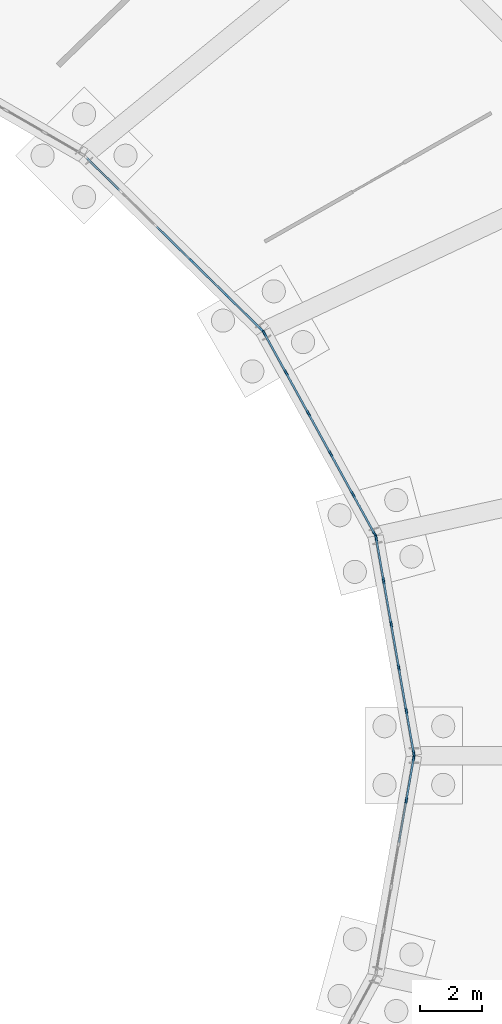
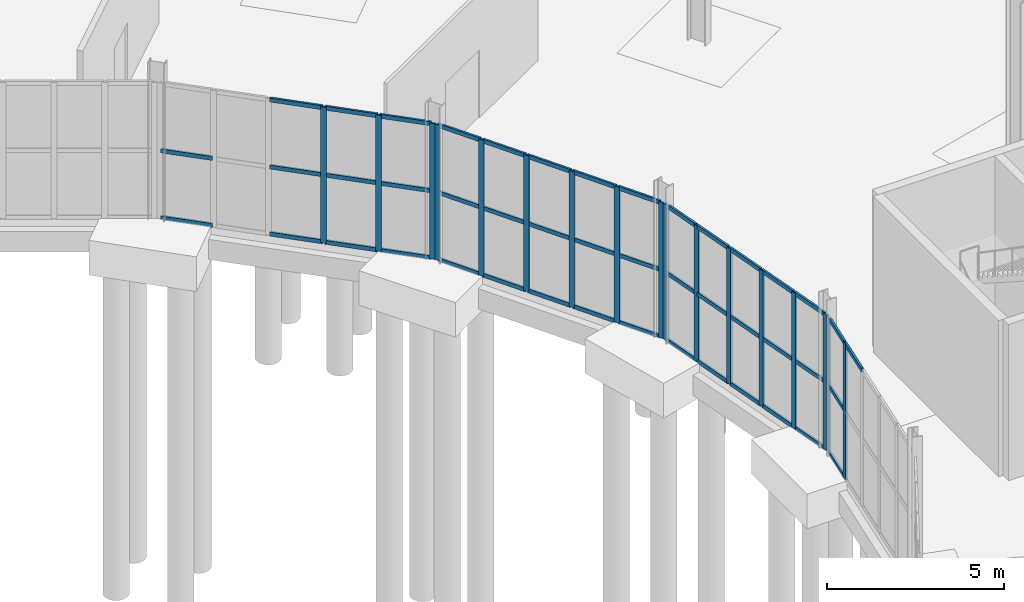
# One storey, part 67 of 118: 62 members, 4 elements without a shape of their own.
"""IFC4 building model written with IfcOpenShell, lengths in metres."""

from ifc_helpers import new_model, si_unit, direction, frame, origin, origin_2d, place, context, subcontext, project, spatial, rectangle, extrude, material, material_profile, profile_set, type_object, element, aggregate, save


model = new_model("IFC4")

# Units and contexts
model_context = context("Model", 3, precision=1e-05, world=origin(), true_north=direction((0.0, 1.0)))
body_context = subcontext(model_context, "Body", "Model", "MODEL_VIEW")
ifc_project = project(units=[si_unit("LENGTHUNIT", "METRE"), si_unit("AREAUNIT", "SQUARE_METRE"), si_unit("VOLUMEUNIT", "CUBIC_METRE"), si_unit("PLANEANGLEUNIT", "RADIAN"), si_unit("MASSUNIT", "GRAM", prefix="KILO")], contexts=[model_context])

# Site, building, storey
site_placement = place(None, origin())
site = spatial("IfcSite", under=ifc_project, at=site_placement, CompositionType="ELEMENT")
building_placement = place(site_placement, origin())
building = spatial("IfcBuilding", under=site, at=building_placement, Name="Kildeholm Park Wholesale Market", CompositionType="ELEMENT")
storey_placement = place(building_placement, origin())
storey = spatial("IfcBuildingStorey", under=building, at=storey_placement, Name="L00", CompositionType="ELEMENT", Elevation=0.0)

# Curtain wall, members
ifc_material_1 = material(Name="Anodised aluminium and low-E double-glazed glass", Category="aluminium")
curtain_wall_type = type_object("IfcCurtainWallType", Name="Market hall glazed arcade stick curtain wall CW-01", PredefinedType="NOTDEFINED", material=ifc_material_1)
curtain_wall_1_placement = place(storey_placement, origin())
curtain_wall_1 = element("IfcCurtainWall", 1, at=curtain_wall_1_placement, inside=storey, type_object=curtain_wall_type, Name="Curtain wall CW-V1-IN0-00 CW-0003", PredefinedType="NOTDEFINED")
ifc_material_2 = material(Name="Anodised aluminium", Category="aluminium")
ifc_material_profile_1 = material_profile(ifc_material_2, rectangle(XDim=0.06494140625, YDim=0.179931640625, at=origin_2d()), Name="CWM 65x180")
ifc_profile_set_1 = profile_set([ifc_material_profile_1], Name="Anodised aluminium")
member_type_1 = type_object("IfcMemberType", Name="Curtain-wall mullion CWM-1 CWM 65x180", PredefinedType="MULLION", material=ifc_profile_set_1)
member_1_placement = place(storey_placement, frame((135.494384765625, 89.572021484375, 0.0), z_axis=(0.0, 0.0, 1.0), x_axis=(-0.985073802851, -0.172132515628, 0.0)))
member_1 = element("IfcMember", 2, at=member_1_placement, type_object=member_type_1, Name="CW-01 mullion 1 MEM-0456", PredefinedType="MULLION", context=body_context, shape_type="SweptSolid", body=[
    extrude(rectangle(XDim=0.06494140625, YDim=0.179931640625, at=origin_2d()), origin(), (0.0, 0.0, 1.0), 4.699951171875),
])
member_2_placement = place(storey_placement, frame((135.25390625, 90.94775390625, 0.0), z_axis=(0.0, 0.0, 1.0), x_axis=(-0.985073802851, -0.172132515628, 0.0)))
member_2 = element("IfcMember", 3, at=member_2_placement, type_object=member_type_1, Name="CW-01 mullion 2 MEM-0457", PredefinedType="MULLION", context=body_context, shape_type="SweptSolid", body=[
    extrude(rectangle(XDim=0.06494140625, YDim=0.179931640625, at=origin_2d()), origin(), (0.0, 0.0, 1.0), 4.699951171875),
])
member_3_placement = place(storey_placement, frame((135.008056640625, 92.355712890625, 0.0), z_axis=(0.0, 0.0, 1.0), x_axis=(-0.985073802851, -0.172132515628, 0.0)))
member_3 = element("IfcMember", 4, at=member_3_placement, type_object=member_type_1, Name="CW-01 mullion 3 MEM-0458", PredefinedType="MULLION", context=body_context, shape_type="SweptSolid", body=[
    extrude(rectangle(XDim=0.06494140625, YDim=0.179931640625, at=origin_2d()), origin(), (0.0, 0.0, 1.0), 4.699951171875),
])
member_4_placement = place(storey_placement, frame((134.761962890625, 93.763427734375, 0.0), z_axis=(0.0, 0.0, 1.0), x_axis=(-0.985073802851, -0.172132515628, 0.0)))
member_4 = element("IfcMember", 5, at=member_4_placement, type_object=member_type_1, Name="CW-01 mullion 4 MEM-0459", PredefinedType="MULLION", context=body_context, shape_type="SweptSolid", body=[
    extrude(rectangle(XDim=0.06494140625, YDim=0.179931640625, at=origin_2d()), origin(), (0.0, 0.0, 1.0), 4.699951171875),
])
member_5_placement = place(storey_placement, frame((134.51611328125, 95.171142578125, 0.0), z_axis=(0.0, 0.0, 1.0), x_axis=(-0.985073802851, -0.172132515628, 0.0)))
member_5 = element("IfcMember", 6, at=member_5_placement, type_object=member_type_1, Name="CW-01 mullion 5 MEM-0460", PredefinedType="MULLION", context=body_context, shape_type="SweptSolid", body=[
    extrude(rectangle(XDim=0.06494140625, YDim=0.179931640625, at=origin_2d()), origin(), (0.0, 0.0, 1.0), 4.699951171875),
])
member_6_placement = place(storey_placement, frame((134.275634765625, 96.546875, 0.0), z_axis=(0.0, 0.0, 1.0), x_axis=(-0.985073802851, -0.172132515628, 0.0)))
member_6 = element("IfcMember", 7, at=member_6_placement, type_object=member_type_1, Name="CW-01 mullion 6 MEM-0461", PredefinedType="MULLION", context=body_context, shape_type="SweptSolid", body=[
    extrude(rectangle(XDim=0.06494140625, YDim=0.179931640625, at=origin_2d()), origin(), (0.0, 0.0, 1.0), 4.699951171875),
])

curtain_wall_2_placement = place(storey_placement, origin())
curtain_wall_2 = element("IfcCurtainWall", 8, at=curtain_wall_2_placement, inside=storey, type_object=curtain_wall_type, Name="Curtain wall CW-V1-IN0-01 CW-0008", PredefinedType="NOTDEFINED")
member_7_placement = place(storey_placement, frame((134.227294921875, 96.682373046875, 0.0), z_axis=(0.0, 0.0, 1.0), x_axis=(-0.876308922506, -0.481749595055, 0.0)))
member_7 = element("IfcMember", 9, at=member_7_placement, type_object=member_type_1, Name="CW-01 mullion 1 MEM-0581", PredefinedType="MULLION", context=body_context, shape_type="SweptSolid", body=[
    extrude(rectangle(XDim=0.06494140625, YDim=0.179931640625, at=origin_2d()), origin(), (0.0, 0.0, 1.0), 4.699951171875),
])
member_8_placement = place(storey_placement, frame((133.521484375, 97.966552734375, 0.0), z_axis=(0.0, 0.0, 1.0), x_axis=(-0.876308922506, -0.481749595055, 0.0)))
member_8 = element("IfcMember", 10, at=member_8_placement, type_object=member_type_1, Name="CW-01 mullion 2 MEM-0582", PredefinedType="MULLION", context=body_context, shape_type="SweptSolid", body=[
    extrude(rectangle(XDim=0.06494140625, YDim=0.179931640625, at=origin_2d()), origin(), (0.0, 0.0, 1.0), 4.699951171875),
])
member_9_placement = place(storey_placement, frame((132.7998046875, 99.279296875, 0.0), z_axis=(0.0, 0.0, 1.0), x_axis=(-0.876308922506, -0.481749595055, 0.0)))
member_9 = element("IfcMember", 11, at=member_9_placement, type_object=member_type_1, Name="CW-01 mullion 3 MEM-0583", PredefinedType="MULLION", context=body_context, shape_type="SweptSolid", body=[
    extrude(rectangle(XDim=0.06494140625, YDim=0.179931640625, at=origin_2d()), origin(), (0.0, 0.0, 1.0), 4.699951171875),
])
member_10_placement = place(storey_placement, frame((132.078125, 100.591796875, 0.0), z_axis=(0.0, 0.0, 1.0), x_axis=(-0.876308922506, -0.481749595055, 0.0)))
member_10 = element("IfcMember", 12, at=member_10_placement, type_object=member_type_1, Name="CW-01 mullion 4 MEM-0584", PredefinedType="MULLION", context=body_context, shape_type="SweptSolid", body=[
    extrude(rectangle(XDim=0.06494140625, YDim=0.179931640625, at=origin_2d()), origin(), (0.0, 0.0, 1.0), 4.699951171875),
])
member_11_placement = place(storey_placement, frame((131.356689453125, 101.904296875, 0.0), z_axis=(0.0, 0.0, 1.0), x_axis=(-0.876308922506, -0.481749595055, 0.0)))
member_11 = element("IfcMember", 13, at=member_11_placement, type_object=member_type_1, Name="CW-01 mullion 5 MEM-0585", PredefinedType="MULLION", context=body_context, shape_type="SweptSolid", body=[
    extrude(rectangle(XDim=0.06494140625, YDim=0.179931640625, at=origin_2d()), origin(), (0.0, 0.0, 1.0), 4.699951171875),
])
member_12_placement = place(storey_placement, frame((130.650634765625, 103.1884765625, 0.0), z_axis=(0.0, 0.0, 1.0), x_axis=(-0.876308922506, -0.481749595055, 0.0)))
member_12 = element("IfcMember", 14, at=member_12_placement, type_object=member_type_1, Name="CW-01 mullion 6 MEM-0586", PredefinedType="MULLION", context=body_context, shape_type="SweptSolid", body=[
    extrude(rectangle(XDim=0.06494140625, YDim=0.179931640625, at=origin_2d()), origin(), (0.0, 0.0, 1.0), 4.699951171875),
])

curtain_wall_3_placement = place(storey_placement, origin())
curtain_wall_3 = element("IfcCurtainWall", 15, at=curtain_wall_3_placement, inside=storey, type_object=curtain_wall_type, Name="Curtain wall CW-V1-IN0-02 CW-0013", PredefinedType="NOTDEFINED")
member_13_placement = place(storey_placement, frame((130.562744140625, 103.3037109375, 0.0), z_axis=(0.0, 0.0, 1.0), x_axis=(-0.700616534607, -0.713537995789, 0.0)))
member_13 = element("IfcMember", 16, at=member_13_placement, type_object=member_type_1, Name="CW-01 mullion 1 MEM-0710", PredefinedType="MULLION", context=body_context, shape_type="SweptSolid", body=[
    extrude(rectangle(XDim=0.06494140625, YDim=0.179931640625, at=origin_2d()), origin(), (0.0, 0.0, 1.0), 4.699951171875),
])
member_14_placement = place(storey_placement, frame((129.4375, 104.40869140625, 0.0), z_axis=(0.0, 0.0, 1.0), x_axis=(-0.700616534607, -0.713537995789, 0.0)))
member_14 = element("IfcMember", 17, at=member_14_placement, type_object=member_type_1, Name="CW-01 mullion 2 MEM-0711", PredefinedType="MULLION", context=body_context, shape_type="SweptSolid", body=[
    extrude(rectangle(XDim=0.06494140625, YDim=0.179931640625, at=origin_2d()), origin(), (0.0, 0.0, 1.0), 4.699951171875),
])
member_15_placement = place(storey_placement, frame((128.288818359375, 105.53662109375, 0.0), z_axis=(0.0, 0.0, 1.0), x_axis=(-0.700616534607, -0.713537995789, 0.0)))
member_15 = element("IfcMember", 18, at=member_15_placement, type_object=member_type_1, Name="CW-01 mullion 3 MEM-0712", PredefinedType="MULLION", context=body_context, shape_type="SweptSolid", body=[
    extrude(rectangle(XDim=0.06494140625, YDim=0.179931640625, at=origin_2d()), origin(), (0.0, 0.0, 1.0), 4.699951171875),
])

curtain_wall_4_placement = place(storey_placement, origin())
curtain_wall_4 = element("IfcCurtainWall", 19, at=curtain_wall_4_placement, inside=storey, type_object=curtain_wall_type, Name="Curtain wall CW-V1-IN0-23 CW-0116", PredefinedType="NOTDEFINED")
member_16_placement = place(storey_placement, frame((135.25390625, 88.05224609375, 0.0), z_axis=(0.0, 0.0, 1.0), x_axis=(-0.985073802851, 0.172132515628, 0.0)))
member_16 = element("IfcMember", 20, at=member_16_placement, type_object=member_type_1, Name="CW-01 mullion 5 MEM-3589", PredefinedType="MULLION", context=body_context, shape_type="SweptSolid", body=[
    extrude(rectangle(XDim=0.06494140625, YDim=0.179931640625, at=origin_2d()), origin(), (0.0, 0.0, 1.0), 4.699951171875),
])
member_17_placement = place(storey_placement, frame((135.494384765625, 89.427978515625, 0.0), z_axis=(0.0, 0.0, 1.0), x_axis=(-0.985073802851, 0.172132515628, 0.0)))
member_17 = element("IfcMember", 21, at=member_17_placement, type_object=member_type_1, Name="CW-01 mullion 6 MEM-3590", PredefinedType="MULLION", context=body_context, shape_type="SweptSolid", body=[
    extrude(rectangle(XDim=0.06494140625, YDim=0.179931640625, at=origin_2d()), origin(), (0.0, 0.0, 1.0), 4.699951171875),
])

# Member
ifc_material_profile_2 = material_profile(ifc_material_2, rectangle(XDim=0.06494140625, YDim=0.139892578125, at=origin_2d()), Name="CWT 65x140")
ifc_profile_set_2 = profile_set([ifc_material_profile_2], Name="Anodised aluminium")
member_type_2 = type_object("IfcMemberType", Name="Curtain-wall transom CWT-1 CWT 65x140", PredefinedType="USERDEFINED", material=ifc_profile_set_2)
member_18_placement = place(storey_placement, frame((135.48876953125, 89.60400390625, 0.032470703125), z_axis=(-0.172153518423, 0.985070132577, 0.0), x_axis=(-0.985070132577, -0.172153518423, 0.0)))
member_18 = element("IfcMember", 22, at=member_18_placement, type_object=member_type_2, Name="CW-01 transom 1.1 MEM-0462", ObjectType="TRANSOM", PredefinedType="USERDEFINED", context=body_context, shape_type="SweptSolid", body=[
    extrude(rectangle(XDim=0.06494140625, YDim=0.139892578125, at=origin_2d()), origin(), (0.0, 0.0, 1.0), 1.33154296875),
])

member_19_placement = place(storey_placement, frame((135.48876953125, 89.60400390625, 2.35009765625), z_axis=(-0.172153518423, 0.985070132577, 0.0), x_axis=(-0.985070132577, -0.172153518423, 0.0)))
member_19 = element("IfcMember", 23, at=member_19_placement, type_object=member_type_2, Name="CW-01 transom 1.2 MEM-0463", ObjectType="TRANSOM", PredefinedType="USERDEFINED", context=body_context, shape_type="SweptSolid", body=[
    extrude(rectangle(XDim=0.06494140625, YDim=0.139892578125, at=origin_2d()), origin(), (0.0, 0.0, 1.0), 1.33154296875),
])

member_20_placement = place(storey_placement, frame((135.48876953125, 89.60400390625, 4.66748046875), z_axis=(-0.172153518423, 0.985070132577, 0.0), x_axis=(-0.985070132577, -0.172153518423, 0.0)))
member_20 = element("IfcMember", 24, at=member_20_placement, type_object=member_type_2, Name="CW-01 transom 1.3 MEM-0464", ObjectType="TRANSOM", PredefinedType="USERDEFINED", context=body_context, shape_type="SweptSolid", body=[
    extrude(rectangle(XDim=0.06494140625, YDim=0.139892578125, at=origin_2d()), origin(), (0.0, 0.0, 1.0), 1.33154296875),
])

member_21_placement = place(storey_placement, frame((135.248291015625, 90.979736328125, 0.032470703125), z_axis=(-0.171998266599, 0.985097252197, 0.0), x_axis=(-0.985097252197, -0.171998266599, 0.0)))
member_21 = element("IfcMember", 25, at=member_21_placement, type_object=member_type_2, Name="CW-01 transom 2.1 MEM-0465", ObjectType="TRANSOM", PredefinedType="USERDEFINED", context=body_context, shape_type="SweptSolid", body=[
    extrude(rectangle(XDim=0.06494140625, YDim=0.139892578125, at=origin_2d()), origin(), (0.0, 0.0, 1.0), 1.364013671875),
])

member_22_placement = place(storey_placement, frame((135.248291015625, 90.979736328125, 2.35009765625), z_axis=(-0.171998266599, 0.985097252197, 0.0), x_axis=(-0.985097252197, -0.171998266599, 0.0)))
member_22 = element("IfcMember", 26, at=member_22_placement, type_object=member_type_2, Name="CW-01 transom 2.2 MEM-0466", ObjectType="TRANSOM", PredefinedType="USERDEFINED", context=body_context, shape_type="SweptSolid", body=[
    extrude(rectangle(XDim=0.06494140625, YDim=0.139892578125, at=origin_2d()), origin(), (0.0, 0.0, 1.0), 1.364013671875),
])

member_23_placement = place(storey_placement, frame((135.248291015625, 90.979736328125, 4.66748046875), z_axis=(-0.171998266599, 0.985097252197, 0.0), x_axis=(-0.985097252197, -0.171998266599, 0.0)))
member_23 = element("IfcMember", 27, at=member_23_placement, type_object=member_type_2, Name="CW-01 transom 2.3 MEM-0467", ObjectType="TRANSOM", PredefinedType="USERDEFINED", context=body_context, shape_type="SweptSolid", body=[
    extrude(rectangle(XDim=0.06494140625, YDim=0.139892578125, at=origin_2d()), origin(), (0.0, 0.0, 1.0), 1.364013671875),
])

member_24_placement = place(storey_placement, frame((135.00244140625, 92.3876953125, 0.032470703125), z_axis=(-0.172171942211, 0.985066912608, 0.0), x_axis=(-0.985066912608, -0.172171942211, 0.0)))
member_24 = element("IfcMember", 28, at=member_24_placement, type_object=member_type_2, Name="CW-01 transom 3.1 MEM-0468", ObjectType="TRANSOM", PredefinedType="USERDEFINED", context=body_context, shape_type="SweptSolid", body=[
    extrude(rectangle(XDim=0.06494140625, YDim=0.139892578125, at=origin_2d()), origin(), (0.0, 0.0, 1.0), 1.364013671875),
])

member_25_placement = place(storey_placement, frame((135.00244140625, 92.3876953125, 2.35009765625), z_axis=(-0.172171942211, 0.985066912608, 0.0), x_axis=(-0.985066912608, -0.172171942211, 0.0)))
member_25 = element("IfcMember", 29, at=member_25_placement, type_object=member_type_2, Name="CW-01 transom 3.2 MEM-0469", ObjectType="TRANSOM", PredefinedType="USERDEFINED", context=body_context, shape_type="SweptSolid", body=[
    extrude(rectangle(XDim=0.06494140625, YDim=0.139892578125, at=origin_2d()), origin(), (0.0, 0.0, 1.0), 1.364013671875),
])

member_26_placement = place(storey_placement, frame((135.00244140625, 92.3876953125, 4.66748046875), z_axis=(-0.172171942211, 0.985066912608, 0.0), x_axis=(-0.985066912608, -0.172171942211, 0.0)))
member_26 = element("IfcMember", 30, at=member_26_placement, type_object=member_type_2, Name="CW-01 transom 3.3 MEM-0470", ObjectType="TRANSOM", PredefinedType="USERDEFINED", context=body_context, shape_type="SweptSolid", body=[
    extrude(rectangle(XDim=0.06494140625, YDim=0.139892578125, at=origin_2d()), origin(), (0.0, 0.0, 1.0), 1.364013671875),
])

member_27_placement = place(storey_placement, frame((134.75634765625, 93.79541015625, 0.032470703125), z_axis=(-0.172171942211, 0.985066912608, 0.0), x_axis=(-0.985066912608, -0.172171942211, 0.0)))
member_27 = element("IfcMember", 31, at=member_27_placement, type_object=member_type_2, Name="CW-01 transom 4.1 MEM-0471", ObjectType="TRANSOM", PredefinedType="USERDEFINED", context=body_context, shape_type="SweptSolid", body=[
    extrude(rectangle(XDim=0.06494140625, YDim=0.139892578125, at=origin_2d()), origin(), (0.0, 0.0, 1.0), 1.364013671875),
])

member_28_placement = place(storey_placement, frame((134.75634765625, 93.79541015625, 2.35009765625), z_axis=(-0.172171942211, 0.985066912608, 0.0), x_axis=(-0.985066912608, -0.172171942211, 0.0)))
member_28 = element("IfcMember", 32, at=member_28_placement, type_object=member_type_2, Name="CW-01 transom 4.2 MEM-0472", ObjectType="TRANSOM", PredefinedType="USERDEFINED", context=body_context, shape_type="SweptSolid", body=[
    extrude(rectangle(XDim=0.06494140625, YDim=0.139892578125, at=origin_2d()), origin(), (0.0, 0.0, 1.0), 1.364013671875),
])

member_29_placement = place(storey_placement, frame((134.75634765625, 93.79541015625, 4.66748046875), z_axis=(-0.172171942211, 0.985066912608, 0.0), x_axis=(-0.985066912608, -0.172171942211, 0.0)))
member_29 = element("IfcMember", 33, at=member_29_placement, type_object=member_type_2, Name="CW-01 transom 4.3 MEM-0473", ObjectType="TRANSOM", PredefinedType="USERDEFINED", context=body_context, shape_type="SweptSolid", body=[
    extrude(rectangle(XDim=0.06494140625, YDim=0.139892578125, at=origin_2d()), origin(), (0.0, 0.0, 1.0), 1.364013671875),
])

member_30_placement = place(storey_placement, frame((134.510498046875, 95.203125, 0.032470703125), z_axis=(-0.172153518423, 0.985070132577, 0.0), x_axis=(-0.985070132577, -0.172153518423, 0.0)))
member_30 = element("IfcMember", 34, at=member_30_placement, type_object=member_type_2, Name="CW-01 transom 5.1 MEM-0474", ObjectType="TRANSOM", PredefinedType="USERDEFINED", context=body_context, shape_type="SweptSolid", body=[
    extrude(rectangle(XDim=0.06494140625, YDim=0.139892578125, at=origin_2d()), origin(), (0.0, 0.0, 1.0), 1.33154296875),
])

member_31_placement = place(storey_placement, frame((134.510498046875, 95.203125, 2.35009765625), z_axis=(-0.172153518423, 0.985070132577, 0.0), x_axis=(-0.985070132577, -0.172153518423, 0.0)))
member_31 = element("IfcMember", 35, at=member_31_placement, type_object=member_type_2, Name="CW-01 transom 5.2 MEM-0475", ObjectType="TRANSOM", PredefinedType="USERDEFINED", context=body_context, shape_type="SweptSolid", body=[
    extrude(rectangle(XDim=0.06494140625, YDim=0.139892578125, at=origin_2d()), origin(), (0.0, 0.0, 1.0), 1.33154296875),
])

member_32_placement = place(storey_placement, frame((134.510498046875, 95.203125, 4.66748046875), z_axis=(-0.172153518423, 0.985070132577, 0.0), x_axis=(-0.985070132577, -0.172153518423, 0.0)))
member_32 = element("IfcMember", 36, at=member_32_placement, type_object=member_type_2, Name="CW-01 transom 5.3 MEM-0476", ObjectType="TRANSOM", PredefinedType="USERDEFINED", context=body_context, shape_type="SweptSolid", body=[
    extrude(rectangle(XDim=0.06494140625, YDim=0.139892578125, at=origin_2d()), origin(), (0.0, 0.0, 1.0), 1.33154296875),
])

aggregate(curtain_wall_1, [member_1, member_2, member_3, member_4, member_5, member_6, member_18, member_19, member_20, member_21, member_22, member_23, member_24, member_25, member_26, member_27, member_28, member_29, member_30, member_31, member_32])

member_33_placement = place(storey_placement, frame((134.211669921875, 96.7109375, 0.032470703125), z_axis=(-0.481671123072, 0.876352057793, 0.0), x_axis=(-0.876352057793, -0.481671123072, 0.0)))
member_33 = element("IfcMember", 37, at=member_33_placement, type_object=member_type_2, Name="CW-01 transom 1.1 MEM-0587", ObjectType="TRANSOM", PredefinedType="USERDEFINED", context=body_context, shape_type="SweptSolid", body=[
    extrude(rectangle(XDim=0.06494140625, YDim=0.139892578125, at=origin_2d()), origin(), (0.0, 0.0, 1.0), 1.400390625),
])

member_34_placement = place(storey_placement, frame((134.211669921875, 96.7109375, 2.35009765625), z_axis=(-0.481671123072, 0.876352057793, 0.0), x_axis=(-0.876352057793, -0.481671123072, 0.0)))
member_34 = element("IfcMember", 38, at=member_34_placement, type_object=member_type_2, Name="CW-01 transom 1.2 MEM-0588", ObjectType="TRANSOM", PredefinedType="USERDEFINED", context=body_context, shape_type="SweptSolid", body=[
    extrude(rectangle(XDim=0.06494140625, YDim=0.139892578125, at=origin_2d()), origin(), (0.0, 0.0, 1.0), 1.400390625),
])

member_35_placement = place(storey_placement, frame((134.211669921875, 96.7109375, 4.66748046875), z_axis=(-0.481671123072, 0.876352057793, 0.0), x_axis=(-0.876352057793, -0.481671123072, 0.0)))
member_35 = element("IfcMember", 39, at=member_35_placement, type_object=member_type_2, Name="CW-01 transom 1.3 MEM-0589", ObjectType="TRANSOM", PredefinedType="USERDEFINED", context=body_context, shape_type="SweptSolid", body=[
    extrude(rectangle(XDim=0.06494140625, YDim=0.139892578125, at=origin_2d()), origin(), (0.0, 0.0, 1.0), 1.400390625),
])

member_36_placement = place(storey_placement, frame((133.505859375, 97.9951171875, 0.032470703125), z_axis=(-0.481833721178, 0.87626266903, 0.0), x_axis=(-0.87626266903, -0.481833721178, 0.0)))
member_36 = element("IfcMember", 40, at=member_36_placement, type_object=member_type_2, Name="CW-01 transom 2.1 MEM-0590", ObjectType="TRANSOM", PredefinedType="USERDEFINED", context=body_context, shape_type="SweptSolid", body=[
    extrude(rectangle(XDim=0.06494140625, YDim=0.139892578125, at=origin_2d()), origin(), (0.0, 0.0, 1.0), 1.432861328125),
])

member_37_placement = place(storey_placement, frame((133.505859375, 97.9951171875, 2.35009765625), z_axis=(-0.481833721178, 0.87626266903, 0.0), x_axis=(-0.87626266903, -0.481833721178, 0.0)))
member_37 = element("IfcMember", 41, at=member_37_placement, type_object=member_type_2, Name="CW-01 transom 2.2 MEM-0591", ObjectType="TRANSOM", PredefinedType="USERDEFINED", context=body_context, shape_type="SweptSolid", body=[
    extrude(rectangle(XDim=0.06494140625, YDim=0.139892578125, at=origin_2d()), origin(), (0.0, 0.0, 1.0), 1.432861328125),
])

member_38_placement = place(storey_placement, frame((133.505859375, 97.9951171875, 4.66748046875), z_axis=(-0.481833721178, 0.87626266903, 0.0), x_axis=(-0.87626266903, -0.481833721178, 0.0)))
member_38 = element("IfcMember", 42, at=member_38_placement, type_object=member_type_2, Name="CW-01 transom 2.3 MEM-0592", ObjectType="TRANSOM", PredefinedType="USERDEFINED", context=body_context, shape_type="SweptSolid", body=[
    extrude(rectangle(XDim=0.06494140625, YDim=0.139892578125, at=origin_2d()), origin(), (0.0, 0.0, 1.0), 1.432861328125),
])

member_39_placement = place(storey_placement, frame((132.7841796875, 99.3076171875, 0.032470703125), z_axis=(-0.481833721178, 0.87626266903, 0.0), x_axis=(-0.87626266903, -0.481833721178, 0.0)))
member_39 = element("IfcMember", 43, at=member_39_placement, type_object=member_type_2, Name="CW-01 transom 3.1 MEM-0593", ObjectType="TRANSOM", PredefinedType="USERDEFINED", context=body_context, shape_type="SweptSolid", body=[
    extrude(rectangle(XDim=0.06494140625, YDim=0.139892578125, at=origin_2d()), origin(), (0.0, 0.0, 1.0), 1.432861328125),
])

member_40_placement = place(storey_placement, frame((132.7841796875, 99.3076171875, 2.35009765625), z_axis=(-0.481833721178, 0.87626266903, 0.0), x_axis=(-0.87626266903, -0.481833721178, 0.0)))
member_40 = element("IfcMember", 44, at=member_40_placement, type_object=member_type_2, Name="CW-01 transom 3.2 MEM-0594", ObjectType="TRANSOM", PredefinedType="USERDEFINED", context=body_context, shape_type="SweptSolid", body=[
    extrude(rectangle(XDim=0.06494140625, YDim=0.139892578125, at=origin_2d()), origin(), (0.0, 0.0, 1.0), 1.432861328125),
])

member_41_placement = place(storey_placement, frame((132.7841796875, 99.3076171875, 4.66748046875), z_axis=(-0.481833721178, 0.87626266903, 0.0), x_axis=(-0.87626266903, -0.481833721178, 0.0)))
member_41 = element("IfcMember", 45, at=member_41_placement, type_object=member_type_2, Name="CW-01 transom 3.3 MEM-0595", ObjectType="TRANSOM", PredefinedType="USERDEFINED", context=body_context, shape_type="SweptSolid", body=[
    extrude(rectangle(XDim=0.06494140625, YDim=0.139892578125, at=origin_2d()), origin(), (0.0, 0.0, 1.0), 1.432861328125),
])

member_42_placement = place(storey_placement, frame((132.0625, 100.620361328125, 0.032470703125), z_axis=(-0.481702881374, 0.876334601665, 0.0), x_axis=(-0.876334601665, -0.481702881374, 0.0)))
member_42 = element("IfcMember", 46, at=member_42_placement, type_object=member_type_2, Name="CW-01 transom 4.1 MEM-0596", ObjectType="TRANSOM", PredefinedType="USERDEFINED", context=body_context, shape_type="SweptSolid", body=[
    extrude(rectangle(XDim=0.06494140625, YDim=0.139892578125, at=origin_2d()), origin(), (0.0, 0.0, 1.0), 1.432861328125),
])

member_43_placement = place(storey_placement, frame((132.0625, 100.620361328125, 2.35009765625), z_axis=(-0.481702881374, 0.876334601665, 0.0), x_axis=(-0.876334601665, -0.481702881374, 0.0)))
member_43 = element("IfcMember", 47, at=member_43_placement, type_object=member_type_2, Name="CW-01 transom 4.2 MEM-0597", ObjectType="TRANSOM", PredefinedType="USERDEFINED", context=body_context, shape_type="SweptSolid", body=[
    extrude(rectangle(XDim=0.06494140625, YDim=0.139892578125, at=origin_2d()), origin(), (0.0, 0.0, 1.0), 1.432861328125),
])

member_44_placement = place(storey_placement, frame((132.0625, 100.620361328125, 4.66748046875), z_axis=(-0.481702881374, 0.876334601665, 0.0), x_axis=(-0.876334601665, -0.481702881374, 0.0)))
member_44 = element("IfcMember", 48, at=member_44_placement, type_object=member_type_2, Name="CW-01 transom 4.3 MEM-0598", ObjectType="TRANSOM", PredefinedType="USERDEFINED", context=body_context, shape_type="SweptSolid", body=[
    extrude(rectangle(XDim=0.06494140625, YDim=0.139892578125, at=origin_2d()), origin(), (0.0, 0.0, 1.0), 1.432861328125),
])

member_45_placement = place(storey_placement, frame((131.341064453125, 101.932861328125, 0.032470703125), z_axis=(-0.481804989675, 0.876278467112, 0.0), x_axis=(-0.876278467112, -0.481804989675, 0.0)))
member_45 = element("IfcMember", 49, at=member_45_placement, type_object=member_type_2, Name="CW-01 transom 5.1 MEM-0599", ObjectType="TRANSOM", PredefinedType="USERDEFINED", context=body_context, shape_type="SweptSolid", body=[
    extrude(rectangle(XDim=0.06494140625, YDim=0.139892578125, at=origin_2d()), origin(), (0.0, 0.0, 1.0), 1.400634765625),
])

member_46_placement = place(storey_placement, frame((131.341064453125, 101.932861328125, 2.35009765625), z_axis=(-0.481804989675, 0.876278467112, 0.0), x_axis=(-0.876278467112, -0.481804989675, 0.0)))
member_46 = element("IfcMember", 50, at=member_46_placement, type_object=member_type_2, Name="CW-01 transom 5.2 MEM-0600", ObjectType="TRANSOM", PredefinedType="USERDEFINED", context=body_context, shape_type="SweptSolid", body=[
    extrude(rectangle(XDim=0.06494140625, YDim=0.139892578125, at=origin_2d()), origin(), (0.0, 0.0, 1.0), 1.400634765625),
])

member_47_placement = place(storey_placement, frame((131.341064453125, 101.932861328125, 4.66748046875), z_axis=(-0.481804989675, 0.876278467112, 0.0), x_axis=(-0.876278467112, -0.481804989675, 0.0)))
member_47 = element("IfcMember", 51, at=member_47_placement, type_object=member_type_2, Name="CW-01 transom 5.3 MEM-0601", ObjectType="TRANSOM", PredefinedType="USERDEFINED", context=body_context, shape_type="SweptSolid", body=[
    extrude(rectangle(XDim=0.06494140625, YDim=0.139892578125, at=origin_2d()), origin(), (0.0, 0.0, 1.0), 1.400634765625),
])

aggregate(curtain_wall_2, [member_7, member_8, member_9, member_10, member_11, member_12, member_33, member_34, member_35, member_36, member_37, member_38, member_39, member_40, member_41, member_42, member_43, member_44, member_45, member_46, member_47])

member_48_placement = place(storey_placement, frame((130.53955078125, 103.32666015625, 0.032470703125), z_axis=(-0.713536084219, 0.700618481427, 0.0), x_axis=(-0.700618481427, -0.713536084219, 0.0)))
member_48 = element("IfcMember", 52, at=member_48_placement, type_object=member_type_2, Name="CW-01 transom 1.1 MEM-0716", ObjectType="TRANSOM", PredefinedType="USERDEFINED", context=body_context, shape_type="SweptSolid", body=[
    extrude(rectangle(XDim=0.06494140625, YDim=0.139892578125, at=origin_2d()), origin(), (0.0, 0.0, 1.0), 1.511962890625),
])

member_49_placement = place(storey_placement, frame((130.53955078125, 103.32666015625, 2.35009765625), z_axis=(-0.713536084219, 0.700618481427, 0.0), x_axis=(-0.700618481427, -0.713536084219, 0.0)))
member_49 = element("IfcMember", 53, at=member_49_placement, type_object=member_type_2, Name="CW-01 transom 1.2 MEM-0717", ObjectType="TRANSOM", PredefinedType="USERDEFINED", context=body_context, shape_type="SweptSolid", body=[
    extrude(rectangle(XDim=0.06494140625, YDim=0.139892578125, at=origin_2d()), origin(), (0.0, 0.0, 1.0), 1.511962890625),
])

member_50_placement = place(storey_placement, frame((130.53955078125, 103.32666015625, 4.66748046875), z_axis=(-0.713536084219, 0.700618481427, 0.0), x_axis=(-0.700618481427, -0.713536084219, 0.0)))
member_50 = element("IfcMember", 54, at=member_50_placement, type_object=member_type_2, Name="CW-01 transom 1.3 MEM-0718", ObjectType="TRANSOM", PredefinedType="USERDEFINED", context=body_context, shape_type="SweptSolid", body=[
    extrude(rectangle(XDim=0.06494140625, YDim=0.139892578125, at=origin_2d()), origin(), (0.0, 0.0, 1.0), 1.511962890625),
])

member_51_placement = place(storey_placement, frame((129.414306640625, 104.431640625, 0.032470703125), z_axis=(-0.713556787842, 0.70059739546, 0.0), x_axis=(-0.70059739546, -0.713556787842, 0.0)))
member_51 = element("IfcMember", 55, at=member_51_placement, type_object=member_type_2, Name="CW-01 transom 2.1 MEM-0719", ObjectType="TRANSOM", PredefinedType="USERDEFINED", context=body_context, shape_type="SweptSolid", body=[
    extrude(rectangle(XDim=0.06494140625, YDim=0.139892578125, at=origin_2d()), origin(), (0.0, 0.0, 1.0), 1.544677734375),
])

member_52_placement = place(storey_placement, frame((129.414306640625, 104.431640625, 2.35009765625), z_axis=(-0.713556787842, 0.70059739546, 0.0), x_axis=(-0.70059739546, -0.713556787842, 0.0)))
member_52 = element("IfcMember", 56, at=member_52_placement, type_object=member_type_2, Name="CW-01 transom 2.2 MEM-0720", ObjectType="TRANSOM", PredefinedType="USERDEFINED", context=body_context, shape_type="SweptSolid", body=[
    extrude(rectangle(XDim=0.06494140625, YDim=0.139892578125, at=origin_2d()), origin(), (0.0, 0.0, 1.0), 1.544677734375),
])

member_53_placement = place(storey_placement, frame((129.414306640625, 104.431640625, 4.66748046875), z_axis=(-0.713556787842, 0.70059739546, 0.0), x_axis=(-0.70059739546, -0.713556787842, 0.0)))
member_53 = element("IfcMember", 57, at=member_53_placement, type_object=member_type_2, Name="CW-01 transom 2.3 MEM-0721", ObjectType="TRANSOM", PredefinedType="USERDEFINED", context=body_context, shape_type="SweptSolid", body=[
    extrude(rectangle(XDim=0.06494140625, YDim=0.139892578125, at=origin_2d()), origin(), (0.0, 0.0, 1.0), 1.544677734375),
])

member_54_placement = place(storey_placement, frame((128.265625, 105.559326171875, 0.032470703125), z_axis=(-0.713556787842, 0.70059739546, 0.0), x_axis=(-0.70059739546, -0.713556787842, 0.0)))
member_54 = element("IfcMember", 58, at=member_54_placement, type_object=member_type_2, Name="CW-01 transom 3.1 MEM-0722", ObjectType="TRANSOM", PredefinedType="USERDEFINED", context=body_context, shape_type="SweptSolid", body=[
    extrude(rectangle(XDim=0.06494140625, YDim=0.139892578125, at=origin_2d()), origin(), (0.0, 0.0, 1.0), 1.544677734375),
])

member_55_placement = place(storey_placement, frame((128.265625, 105.559326171875, 2.35009765625), z_axis=(-0.713556787842, 0.70059739546, 0.0), x_axis=(-0.70059739546, -0.713556787842, 0.0)))
member_55 = element("IfcMember", 59, at=member_55_placement, type_object=member_type_2, Name="CW-01 transom 3.2 MEM-0723", ObjectType="TRANSOM", PredefinedType="USERDEFINED", context=body_context, shape_type="SweptSolid", body=[
    extrude(rectangle(XDim=0.06494140625, YDim=0.139892578125, at=origin_2d()), origin(), (0.0, 0.0, 1.0), 1.544677734375),
])

member_56_placement = place(storey_placement, frame((128.265625, 105.559326171875, 4.66748046875), z_axis=(-0.713556787842, 0.70059739546, 0.0), x_axis=(-0.70059739546, -0.713556787842, 0.0)))
member_56 = element("IfcMember", 60, at=member_56_placement, type_object=member_type_2, Name="CW-01 transom 3.3 MEM-0724", ObjectType="TRANSOM", PredefinedType="USERDEFINED", context=body_context, shape_type="SweptSolid", body=[
    extrude(rectangle(XDim=0.06494140625, YDim=0.139892578125, at=origin_2d()), origin(), (0.0, 0.0, 1.0), 1.544677734375),
])

member_57_placement = place(storey_placement, frame((125.968505859375, 107.81494140625, 0.032470703125), z_axis=(-0.713534623197, 0.700619969384, 0.0), x_axis=(-0.700619969384, -0.713534623197, 0.0)))
member_57 = element("IfcMember", 61, at=member_57_placement, type_object=member_type_2, Name="CW-01 transom 5.1 MEM-0728", ObjectType="TRANSOM", PredefinedType="USERDEFINED", context=body_context, shape_type="SweptSolid", body=[
    extrude(rectangle(XDim=0.06494140625, YDim=0.139892578125, at=origin_2d()), origin(), (0.0, 0.0, 1.0), 1.512451171875),
])

member_58_placement = place(storey_placement, frame((125.968505859375, 107.81494140625, 2.35009765625), z_axis=(-0.713534623197, 0.700619969384, 0.0), x_axis=(-0.700619969384, -0.713534623197, 0.0)))
member_58 = element("IfcMember", 62, at=member_58_placement, type_object=member_type_2, Name="CW-01 transom 5.2 MEM-0729", ObjectType="TRANSOM", PredefinedType="USERDEFINED", context=body_context, shape_type="SweptSolid", body=[
    extrude(rectangle(XDim=0.06494140625, YDim=0.139892578125, at=origin_2d()), origin(), (0.0, 0.0, 1.0), 1.512451171875),
])

aggregate(curtain_wall_3, [member_13, member_14, member_15, member_48, member_49, member_50, member_51, member_52, member_53, member_54, member_55, member_56, member_57, member_58])

member_59_placement = place(storey_placement, frame((135.013671875, 86.676513671875, 4.66748046875), z_axis=(0.171998266599, 0.985097252197, 0.0), x_axis=(-0.985097252197, 0.171998266599, 0.0)))
member_59 = element("IfcMember", 63, at=member_59_placement, type_object=member_type_2, Name="CW-01 transom 4.3 MEM-3602", ObjectType="TRANSOM", PredefinedType="USERDEFINED", context=body_context, shape_type="SweptSolid", body=[
    extrude(rectangle(XDim=0.06494140625, YDim=0.139892578125, at=origin_2d()), origin(), (0.0, 0.0, 1.0), 1.364013671875),
])

member_60_placement = place(storey_placement, frame((135.259521484375, 88.084228515625, 0.032470703125), z_axis=(0.172153518423, 0.985070132577, 0.0), x_axis=(-0.985070132577, 0.172153518423, 0.0)))
member_60 = element("IfcMember", 64, at=member_60_placement, type_object=member_type_2, Name="CW-01 transom 5.1 MEM-3603", ObjectType="TRANSOM", PredefinedType="USERDEFINED", context=body_context, shape_type="SweptSolid", body=[
    extrude(rectangle(XDim=0.06494140625, YDim=0.139892578125, at=origin_2d()), origin(), (0.0, 0.0, 1.0), 1.33154296875),
])

member_61_placement = place(storey_placement, frame((135.259521484375, 88.084228515625, 2.35009765625), z_axis=(0.172153518423, 0.985070132577, 0.0), x_axis=(-0.985070132577, 0.172153518423, 0.0)))
member_61 = element("IfcMember", 65, at=member_61_placement, type_object=member_type_2, Name="CW-01 transom 5.2 MEM-3604", ObjectType="TRANSOM", PredefinedType="USERDEFINED", context=body_context, shape_type="SweptSolid", body=[
    extrude(rectangle(XDim=0.06494140625, YDim=0.139892578125, at=origin_2d()), origin(), (0.0, 0.0, 1.0), 1.33154296875),
])

member_62_placement = place(storey_placement, frame((135.259521484375, 88.084228515625, 4.66748046875), z_axis=(0.172153518423, 0.985070132577, 0.0), x_axis=(-0.985070132577, 0.172153518423, 0.0)))
member_62 = element("IfcMember", 66, at=member_62_placement, type_object=member_type_2, Name="CW-01 transom 5.3 MEM-3605", ObjectType="TRANSOM", PredefinedType="USERDEFINED", context=body_context, shape_type="SweptSolid", body=[
    extrude(rectangle(XDim=0.06494140625, YDim=0.139892578125, at=origin_2d()), origin(), (0.0, 0.0, 1.0), 1.33154296875),
])

aggregate(curtain_wall_4, [member_16, member_17, member_59, member_60, member_61, member_62])

save(model, "model.ifc")
